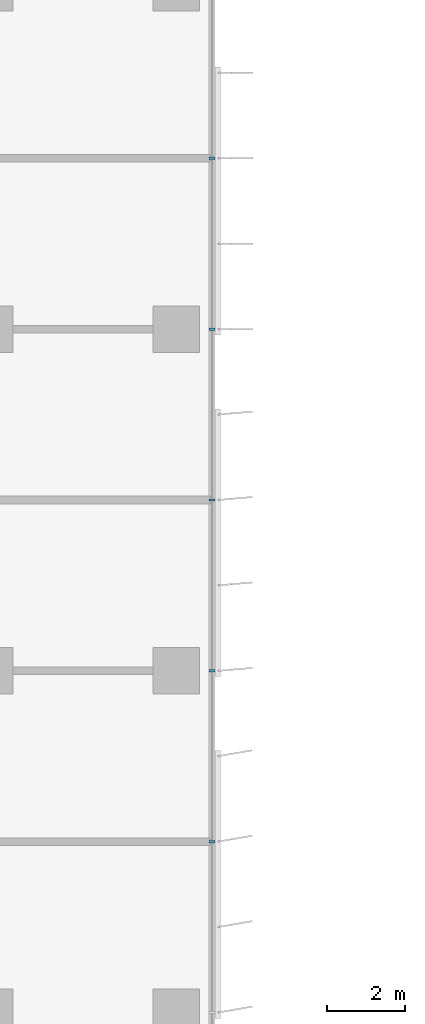
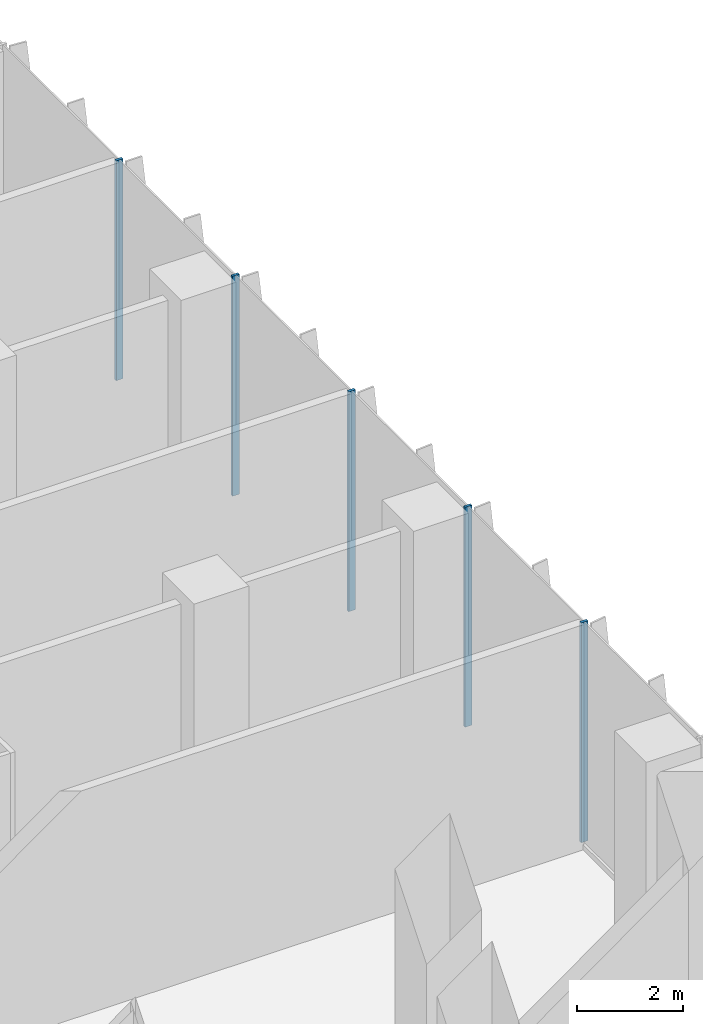
# One storey, part 5 of 26: 5 members, 1 element without a shape of its own.
"""IFC4 building model written with IfcOpenShell, lengths in metres."""

from ifc_helpers import new_model, si_unit, direction, frame, origin, origin_2d, place, context, subcontext, project, spatial, rectangle, extrude, source, transform, mapped, material, material_profile, profile_set, type_object, element, aggregate, save


model = new_model("IFC4")

# Units and contexts
model_context = context("Model", 3, precision=1e-05, world=origin(), true_north=direction((0.0, 1.0)))
body_context = subcontext(model_context, "Body", "Model", "MODEL_VIEW")
ifc_project = project(units=[si_unit("LENGTHUNIT", "METRE"), si_unit("AREAUNIT", "SQUARE_METRE"), si_unit("VOLUMEUNIT", "CUBIC_METRE"), si_unit("PLANEANGLEUNIT", "RADIAN"), si_unit("MASSUNIT", "GRAM", prefix="KILO")], contexts=[model_context])

# Site, building, storey
site_placement = place(None, origin())
site = spatial("IfcSite", under=ifc_project, at=site_placement, CompositionType="ELEMENT")
building_placement = place(site_placement, origin())
building = spatial("IfcBuilding", under=site, at=building_placement, Name="Kemantara Hotel Tower", CompositionType="ELEMENT")
storey_placement = place(building_placement, frame((0.0, 0.0, 101.89990234375)))
storey = spatial("IfcBuildingStorey", under=building, at=storey_placement, Name="L24", CompositionType="ELEMENT", Elevation=101.89990234375)

# Curtain wall, members
ifc_material_1 = material(Name="Low-E tinted double insulated glass 36 mm", Category="glass")
curtain_wall_type = type_object("IfcCurtainWallType", Name="TOWER CURTAIN WALL, FRONT FACES", PredefinedType="USERDEFINED", material=ifc_material_1)
curtain_wall_placement = place(storey_placement, origin())
curtain_wall = element("IfcCurtainWall", 1, at=curtain_wall_placement, inside=storey, type_object=curtain_wall_type, Name="CW4 L24 T2-R14-1", ObjectType="TOWER CURTAIN WALL, FRONT FACES", PredefinedType="USERDEFINED")
ifc_material_2 = material(Name="Aluminium 6063-T6 bronze anodised", Category="aluminium")
ifc_material_profile = material_profile(ifc_material_2, rectangle(XDim=0.14990234375, YDim=0.06005859375, at=origin_2d()), Name="TOWER CURTAIN WALL, FRONT FACES MULLION")
ifc_profile_set = profile_set([ifc_material_profile], Name="Aluminium 6063-T6 bronze anodised")
member_type = type_object("IfcMemberType", Name="TOWER CURTAIN WALL, FRONT FACES MULLION", PredefinedType="MULLION", material=ifc_profile_set)
shared_shape = source(origin(), body_context, "Body", "SweptSolid", [
    extrude(rectangle(XDim=0.14990234375, YDim=0.06005859375, at=origin_2d()), origin(), (0.0, 0.0, 1.0), 5.080078125),
])
member_1_placement = place(storey_placement, frame((26.72509765625, 31.800048828125, 0.1201171875), z_axis=(0.0, 0.0, 1.0), x_axis=(-1.0, 0.0, 0.0)))
member_1 = element("IfcMember", 2, at=member_1_placement, type_object=member_type, Name="CW4 mullion T2-R14-1.4", PredefinedType="MULLION", context=body_context, shape_type="MappedRepresentation", body=[
    mapped(shared_shape, transform((0.0, 0.0, 0.0))),
])
member_2_placement = place(storey_placement, frame((26.72509765625, 36.199951171875, 0.1201171875), z_axis=(0.0, 0.0, 1.0), x_axis=(-1.0, 0.0, 0.0)))
member_2 = element("IfcMember", 3, at=member_2_placement, type_object=member_type, Name="CW4 mullion T2-R14-1.5", PredefinedType="MULLION", context=body_context, shape_type="MappedRepresentation", body=[
    mapped(shared_shape, transform((0.0, 0.0, 0.0))),
])
member_3_placement = place(storey_placement, frame((26.72509765625, 40.60009765625, 0.1201171875), z_axis=(0.0, 0.0, 1.0), x_axis=(-1.0, 0.0, 0.0)))
member_3 = element("IfcMember", 4, at=member_3_placement, type_object=member_type, Name="CW4 mullion T2-R14-1.6", PredefinedType="MULLION", context=body_context, shape_type="MappedRepresentation", body=[
    mapped(shared_shape, transform((0.0, 0.0, 0.0))),
])
member_4_placement = place(storey_placement, frame((26.72509765625, 45.0, 0.1201171875), z_axis=(0.0, 0.0, 1.0), x_axis=(-1.0, 0.0, 0.0)))
member_4 = element("IfcMember", 5, at=member_4_placement, type_object=member_type, Name="CW4 mullion T2-R14-1.7", PredefinedType="MULLION", context=body_context, shape_type="MappedRepresentation", body=[
    mapped(shared_shape, transform((0.0, 0.0, 0.0))),
])
member_5_placement = place(storey_placement, frame((26.72509765625, 49.39990234375, 0.1201171875), z_axis=(0.0, 0.0, 1.0), x_axis=(-1.0, 0.0, 0.0)))
member_5 = element("IfcMember", 6, at=member_5_placement, type_object=member_type, Name="CW4 mullion T2-R14-1.8", PredefinedType="MULLION", context=body_context, shape_type="MappedRepresentation", body=[
    mapped(shared_shape, transform((0.0, 0.0, 0.0))),
])
aggregate(curtain_wall, [member_1, member_2, member_3, member_4, member_5])

save(model, "model.ifc")
